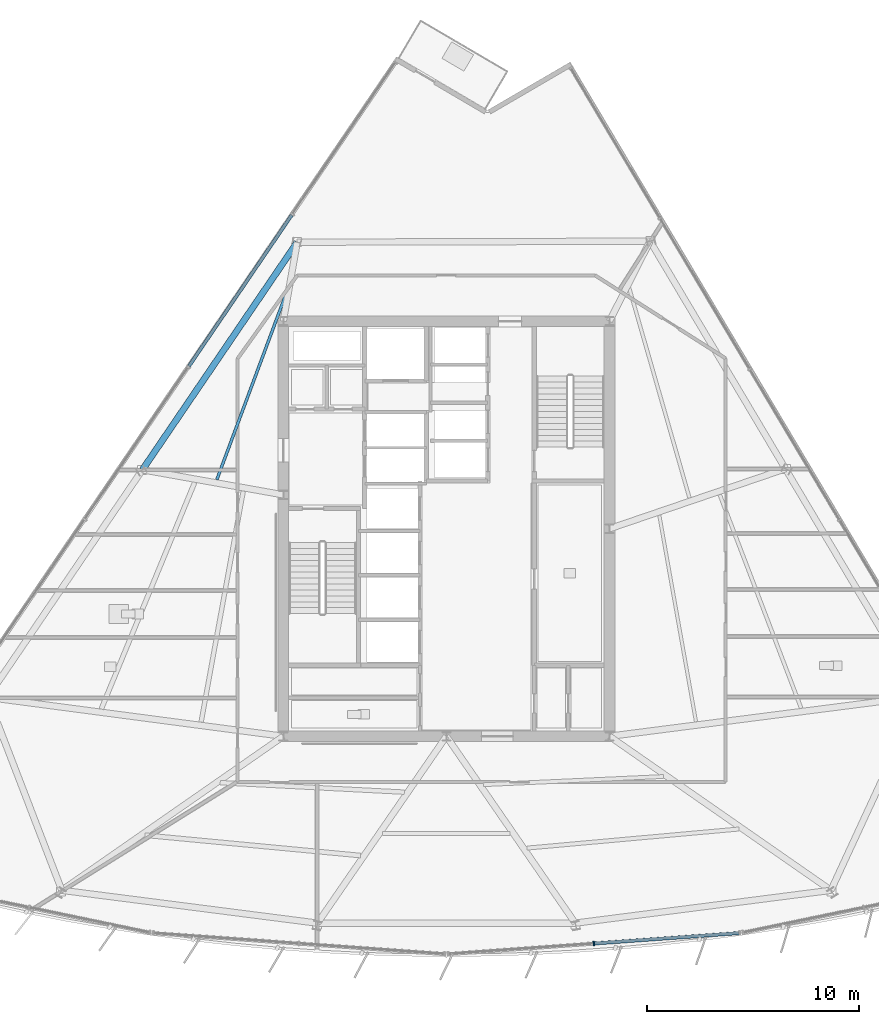
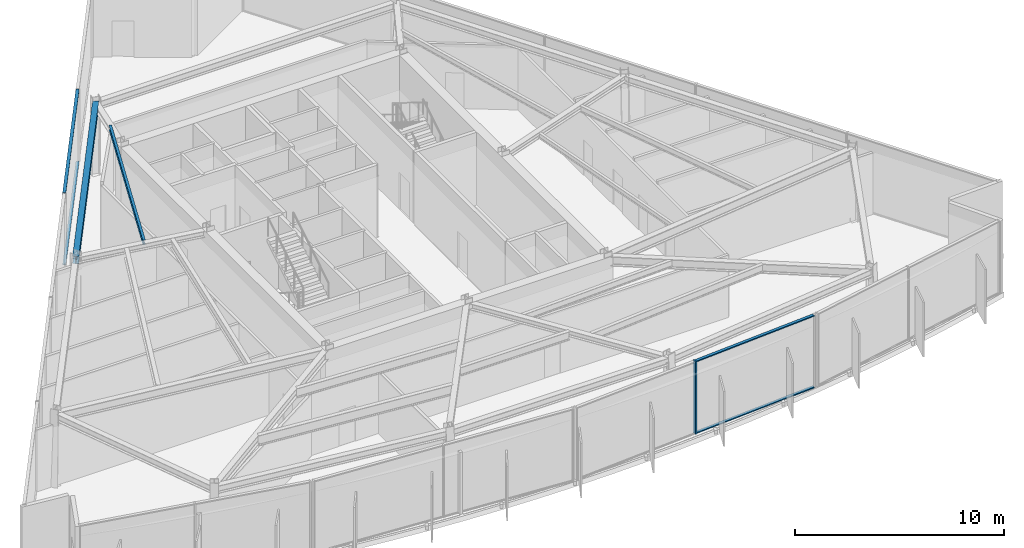
# One storey, part 3 of 14: 5 members, 2 beams, 2 elements without a shape of their own.
"""IFC4 building model written with IfcOpenShell, lengths in metres."""

from ifc_helpers import new_model, si_unit, direction, frame, origin, origin_2d, place, context, subcontext, project, spatial, rectangle, i_section, extrude, material, material_profile, profile_set, type_object, element, aggregate, save


model = new_model("IFC4")

# Units and contexts
model_context = context("Model", 3, precision=1e-05, world=origin(), true_north=direction((0.0, 1.0)))
body_context = subcontext(model_context, "Body", "Model", "MODEL_VIEW")
ifc_project = project(units=[si_unit("LENGTHUNIT", "METRE"), si_unit("AREAUNIT", "SQUARE_METRE"), si_unit("VOLUMEUNIT", "CUBIC_METRE"), si_unit("PLANEANGLEUNIT", "RADIAN"), si_unit("MASSUNIT", "GRAM", prefix="KILO")], contexts=[model_context])

# Site, building, storey
site_placement = place(None, origin())
site = spatial("IfcSite", under=ifc_project, at=site_placement, CompositionType="ELEMENT")
building_placement = place(site_placement, origin())
building = spatial("IfcBuilding", under=site, at=building_placement, Name="Savorim Split Tower", CompositionType="ELEMENT")
storey_placement = place(building_placement, frame((0.0, 0.0, 134.10009765625)))
storey = spatial("IfcBuildingStorey", under=building, at=storey_placement, Name="L35", CompositionType="ELEMENT", Elevation=134.10009765625)

# Beams
ifc_material_1 = material(Name="Steel S355", Category="steel")
ifc_material_profile_1 = material_profile(ifc_material_1, i_section(OverallWidth=0.135009765625, OverallDepth=0.27001953125, WebThickness=0.006591796875, FlangeThickness=0.01025390625, FilletRadius=0.014892578125, at=origin_2d()), Name="IPE 270")
ifc_profile_set_1 = profile_set([ifc_material_profile_1], Name="Steel S355")
beam_type_1 = type_object("IfcBeamType", Name="BM-JST-IPE270", PredefinedType="JOIST", material=ifc_profile_set_1)
beam_1_placement = place(storey_placement, frame((-7.43994140625, 11.839111328125, 4.114990234375), z_axis=(-0.348945327387, -0.937143083256, 0.0), x_axis=(0.937143083256, -0.348945327387, 0.0)))
element("IfcBeam", 1, at=beam_1_placement, inside=storey, type_object=beam_type_1, Name="L35 Secondary Floor Joist JS-09", PredefinedType="JOIST", context=body_context, shape_type="SweptSolid", body=[
    extrude(i_section(OverallWidth=0.135009765625, OverallDepth=0.27001953125, WebThickness=0.006591796875, FlangeThickness=0.01025390625, FilletRadius=0.014892578125, at=origin_2d()), origin(), (0.0, 0.0, 1.0), 9.73291015625),
])
ifc_material_profile_2 = material_profile(ifc_material_1, i_section(OverallWidth=0.300048828125, OverallDepth=0.43994140625, WebThickness=0.011474609375, FlangeThickness=0.02099609375, FilletRadius=0.027099609375, at=origin_2d()), Name="HEA 450")
ifc_profile_set_2 = profile_set([ifc_material_profile_2], Name="Steel S355")
beam_type_2 = type_object("IfcBeamType", Name="BM-SPN-HEA450", PredefinedType="SPANDREL", material=ifc_profile_set_2)
beam_2_placement = place(storey_placement, frame((-7.041748046875, 13.927001953125, 4.02978515625), z_axis=(-0.562467790675, -0.826819196955, 0.0), x_axis=(0.826819196955, -0.562467790675, 0.0)))
element("IfcBeam", 2, at=beam_2_placement, inside=storey, type_object=beam_type_2, Name="L35 Perimeter Spandrel Beam 8", PredefinedType="SPANDREL", context=body_context, shape_type="SweptSolid", body=[
    extrude(i_section(OverallWidth=0.300048828125, OverallDepth=0.43994140625, WebThickness=0.011474609375, FlangeThickness=0.02099609375, FilletRadius=0.027099609375, at=origin_2d()), origin(), (0.0, 0.0, 1.0), 12.993408203125),
])

# Curtain wall, members
ifc_material_2 = material(Name="Dark Ceramic-Fritted Insulated Glass", Category="glass")
curtain_wall_type = type_object("IfcCurtainWallType", Name="CW-SKY-ATRIUM", PredefinedType="NOTDEFINED", material=ifc_material_2)
curtain_wall_1_placement = place(storey_placement, origin())
curtain_wall_1 = element("IfcCurtainWall", 3, at=curtain_wall_1_placement, inside=storey, type_object=curtain_wall_type, Name="L35 Curtain Wall CW-L35-SF3", PredefinedType="NOTDEFINED")
ifc_material_3 = material(Name="Charcoal Anodised Aluminium", Category="aluminium")
ifc_material_profile_3 = material_profile(ifc_material_3, rectangle(XDim=0.219970703125, YDim=0.070068359375, at=origin_2d()), Name="ALU-M 220x70")
ifc_profile_set_3 = profile_set([ifc_material_profile_3], Name="Charcoal Anodised Aluminium")
member_type_1 = type_object("IfcMemberType", Name="CWM-220x70", PredefinedType="MULLION", material=ifc_profile_set_3)
member_1_placement = place(storey_placement, frame((6.9619140625, -19.181884765625, 0.0), z_axis=(0.0, 0.0, 1.0), x_axis=(-0.071560918492, 0.997436231017, 0.0)))
member_1 = element("IfcMember", 4, at=member_1_placement, type_object=member_type_1, Name="CW-05 mullion 2", PredefinedType="MULLION", context=body_context, shape_type="SweptSolid", body=[
    extrude(rectangle(XDim=0.219970703125, YDim=0.070068359375, at=origin_2d()), origin(), (0.0, 0.0, 1.0), 4.25),
])
ifc_material_profile_4 = material_profile(ifc_material_3, rectangle(XDim=0.159912109375, YDim=0.06005859375, at=origin_2d()), Name="ALU-T 160x60")
ifc_profile_set_4 = profile_set([ifc_material_profile_4], Name="Charcoal Anodised Aluminium")
member_type_2 = type_object("IfcMemberType", Name="CWT-160x60", PredefinedType="USERDEFINED", material=ifc_profile_set_4)
member_2_placement = place(storey_placement, frame((6.996826171875, -19.17919921875, 0.02978515625), z_axis=(0.997436311062, 0.071559802781, 0.0), x_axis=(-0.071559802781, 0.997436311062, 0.0)))
member_2 = element("IfcMember", 5, at=member_2_placement, type_object=member_type_2, Name="CW-05 transom 2.1", ObjectType="TRANSOM", PredefinedType="USERDEFINED", context=body_context, shape_type="SweptSolid", body=[
    extrude(rectangle(XDim=0.159912109375, YDim=0.06005859375, at=origin_2d()), origin(), (0.0, 0.0, 1.0), 6.823486328125),
])
member_3_placement = place(storey_placement, frame((6.996826171875, -19.17919921875, 4.219970703125), z_axis=(0.997436311062, 0.071559802781, 0.0), x_axis=(-0.071559802781, 0.997436311062, 0.0)))
member_3 = element("IfcMember", 6, at=member_3_placement, type_object=member_type_2, Name="CW-05 transom 2.2", ObjectType="TRANSOM", PredefinedType="USERDEFINED", context=body_context, shape_type="SweptSolid", body=[
    extrude(rectangle(XDim=0.159912109375, YDim=0.06005859375, at=origin_2d()), origin(), (0.0, 0.0, 1.0), 6.823486328125),
])
aggregate(curtain_wall_1, [member_1, member_2, member_3])

curtain_wall_2_placement = place(storey_placement, origin())
curtain_wall_2 = element("IfcCurtainWall", 7, at=curtain_wall_2_placement, inside=storey, type_object=curtain_wall_type, Name="L35 Curtain Wall CW-L35-WEST", PredefinedType="NOTDEFINED")
member_4_placement = place(storey_placement, frame((-7.30078125, 15.212158203125, 0.02978515625), z_axis=(-0.562449926829, -0.826831349073, 0.0), x_axis=(0.826831349073, -0.562449926829, 0.0)))
member_4 = element("IfcMember", 8, at=member_4_placement, type_object=member_type_2, Name="CW-05 transom 2.1", ObjectType="TRANSOM", PredefinedType="USERDEFINED", context=body_context, shape_type="SweptSolid", body=[
    extrude(rectangle(XDim=0.159912109375, YDim=0.06005859375, at=origin_2d()), origin(), (0.0, 0.0, 1.0), 8.638671875),
])
member_5_placement = place(storey_placement, frame((-7.30078125, 15.212158203125, 4.219970703125), z_axis=(-0.562449926829, -0.826831349073, 0.0), x_axis=(0.826831349073, -0.562449926829, 0.0)))
member_5 = element("IfcMember", 9, at=member_5_placement, type_object=member_type_2, Name="CW-05 transom 2.2", ObjectType="TRANSOM", PredefinedType="USERDEFINED", context=body_context, shape_type="SweptSolid", body=[
    extrude(rectangle(XDim=0.159912109375, YDim=0.06005859375, at=origin_2d()), origin(), (0.0, 0.0, 1.0), 8.638671875),
])
aggregate(curtain_wall_2, [member_4, member_5])

save(model, "model.ifc")
